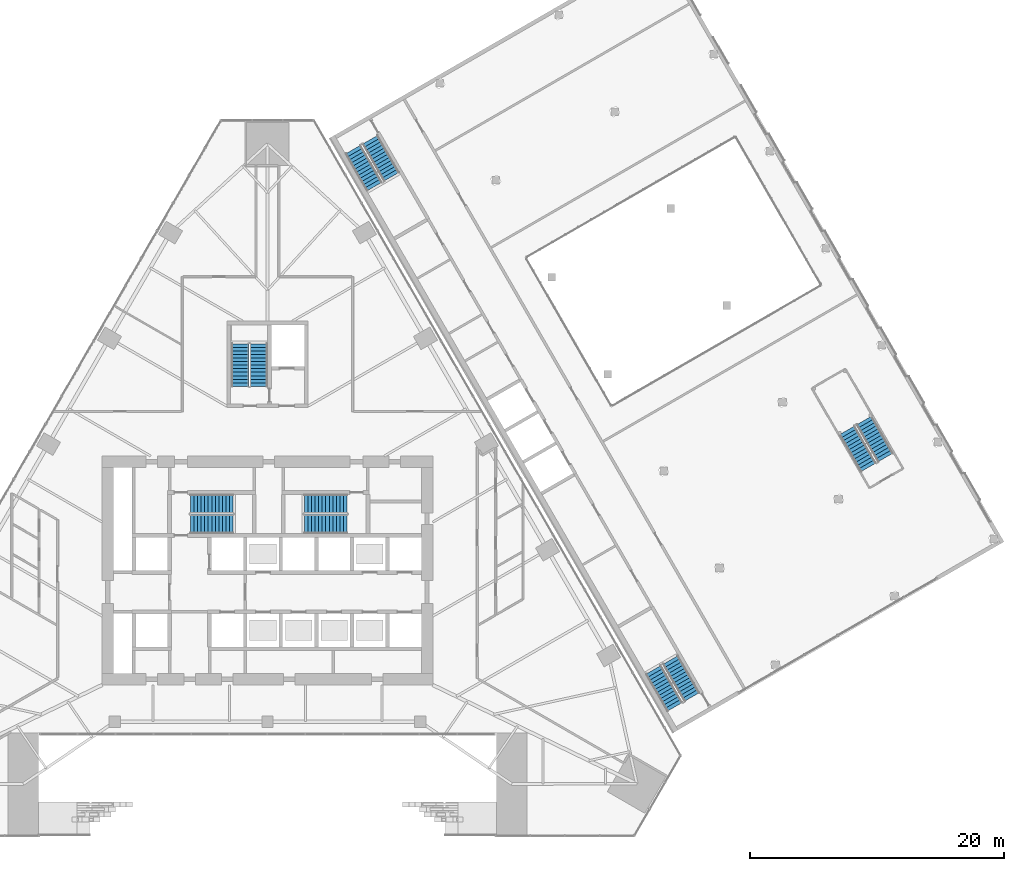
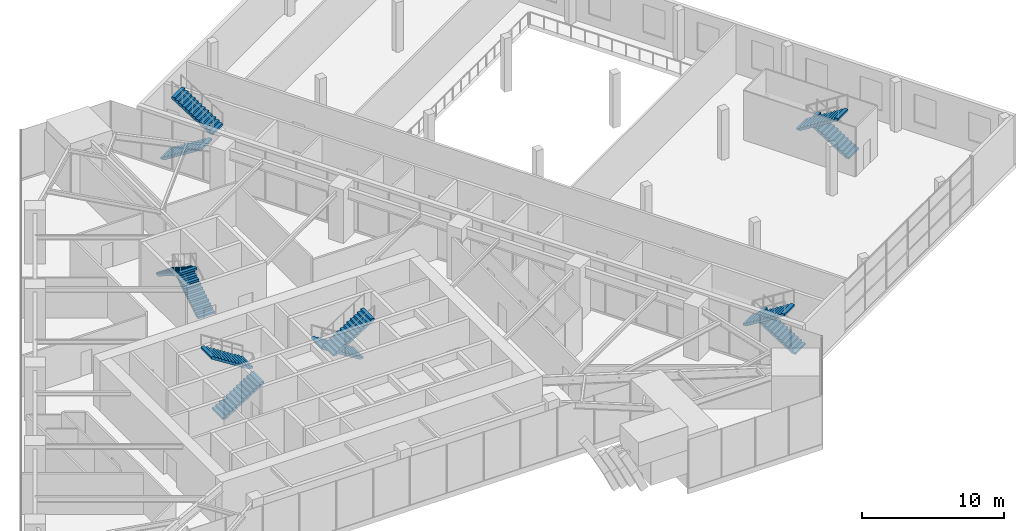
# One storey, part 22 of 30: 12 stair flights, 6 elements without a shape of their own.
"""IFC4 building model written with IfcOpenShell, lengths in metres."""

from ifc_helpers import new_model, si_unit, direction, frame, origin, place, context, subcontext, project, spatial, polyline, outline, extrude, material, type_object, element, aggregate, save


model = new_model("IFC4")

# Units and contexts
model_context = context("Model", 3, precision=1e-05, world=origin(), true_north=direction((0.0, 1.0)))
body_context = subcontext(model_context, "Body", "Model", "MODEL_VIEW")
ifc_project = project(units=[si_unit("LENGTHUNIT", "METRE"), si_unit("AREAUNIT", "SQUARE_METRE"), si_unit("VOLUMEUNIT", "CUBIC_METRE"), si_unit("PLANEANGLEUNIT", "RADIAN"), si_unit("MASSUNIT", "GRAM", prefix="KILO")], contexts=[model_context])

# Site, building, storey
site_placement = place(None, origin())
site = spatial("IfcSite", under=ifc_project, at=site_placement, CompositionType="ELEMENT")
building_placement = place(site_placement, origin())
building = spatial("IfcBuilding", under=site, at=building_placement, Name="Firuza Gate Tower and Library", CompositionType="ELEMENT")
storey_placement = place(building_placement, frame((0.0, 0.0, 12.60009765625)))
storey = spatial("IfcBuildingStorey", under=building, at=storey_placement, Name="L02", CompositionType="ELEMENT", Elevation=12.60009765625)

# Stair, stair flights
ifc_material_1 = material(Name="Concrete C40/50", Category="concrete")
stair_type_1 = type_object("IfcStairType", Name="LIB STAIR", PredefinedType="HALF_TURN_STAIR", material=ifc_material_1)
placement = place(storey_placement, origin())
stair_1 = element("IfcStair", 1, at=placement, inside=storey, type_object=stair_type_1, Name="L02 Exit stair A", PredefinedType="HALF_TURN_STAIR")
ifc_material_2 = material(Name="Concrete C40/50", Category="concrete")
stair_flight_type_1 = type_object("IfcStairFlightType", Name="LIB STAIR FLIGHT", PredefinedType="STRAIGHT", material=ifc_material_2)
stair_flight_1_placement = place(storey_placement, frame((81.735595703125, 108.102783203125, 0.0), z_axis=(0.0, 0.0, 1.0), x_axis=(0.5, -0.866025403784, 0.0)))
stair_flight_1 = element("IfcStairFlight", 2, at=stair_flight_1_placement, type_object=stair_flight_type_1, Name="LIB-ST-A flight 1", NumberOfRisers=13, NumberOfTreads=12, PredefinedType="STRAIGHT", RiserHeight=0.176923077, TreadLength=0.28, context=body_context, shape_type="SweptSolid", body=[
    extrude(outline(polyline([(0.0, 0.0), (0.0, 0.177001953125), (0.280029296875, 0.177001953125), (0.280029296875, 0.353759765625), (0.56005859375, 0.353759765625), (0.56005859375, 0.53076171875), (0.840087890625, 0.53076171875), (0.840087890625, 0.707763671875), (1.1201171875, 0.707763671875), (1.1201171875, 0.884521484375), (1.39990234375, 0.884521484375), (1.39990234375, 1.0615234375), (1.679931640625, 1.0615234375), (1.679931640625, 1.238525390625), (1.9599609375, 1.238525390625), (1.9599609375, 1.415283203125), (2.239990234375, 1.415283203125), (2.239990234375, 1.59228515625), (2.52001953125, 1.59228515625), (2.52001953125, 1.769287109375), (2.800048828125, 1.769287109375), (2.800048828125, 1.946044921875), (3.080078125, 1.946044921875), (3.080078125, 2.123046875), (3.360107421875, 2.123046875), (3.360107421875, 2.300048828125), (3.360107421875, 1.94580078125), (0.280517578125, 0.0), (0.0, 0.0)])), frame((0.0, 0.699951171875, 0.0), z_axis=(0.0, -1.0, 0.0), x_axis=(1.0, 0.0, 0.0)), (0.0, 0.0, 1.0), 1.39990234375),
])
stair_flight_2_placement = place(storey_placement, frame((84.758056640625, 105.968017578125, 2.2998046875), z_axis=(0.0, 0.0, 1.0), x_axis=(-0.5, 0.866025403784, 0.0)))
stair_flight_2 = element("IfcStairFlight", 3, at=stair_flight_2_placement, type_object=stair_flight_type_1, Name="LIB-ST-A flight 2", NumberOfRisers=13, NumberOfTreads=12, PredefinedType="STRAIGHT", RiserHeight=0.176923077, TreadLength=0.28, context=body_context, shape_type="SweptSolid", body=[
    extrude(outline(polyline([(0.0, 0.0), (0.0, 0.177001953125), (0.280029296875, 0.177001953125), (0.280029296875, 0.353759765625), (0.56005859375, 0.353759765625), (0.56005859375, 0.53076171875), (0.840087890625, 0.53076171875), (0.840087890625, 0.707763671875), (1.1201171875, 0.707763671875), (1.1201171875, 0.884521484375), (1.39990234375, 0.884521484375), (1.39990234375, 1.0615234375), (1.679931640625, 1.0615234375), (1.679931640625, 1.238525390625), (1.9599609375, 1.238525390625), (1.9599609375, 1.415283203125), (2.239990234375, 1.415283203125), (2.239990234375, 1.59228515625), (2.52001953125, 1.59228515625), (2.52001953125, 1.769287109375), (2.800048828125, 1.769287109375), (2.800048828125, 1.946044921875), (3.080078125, 1.946044921875), (3.080078125, 2.123046875), (3.360107421875, 2.123046875), (3.360107421875, 2.300048828125), (3.360107421875, 1.94580078125), (0.280517578125, 0.0), (0.0, 0.0)])), frame((0.0, 0.699951171875, 0.0), z_axis=(0.0, -1.0, 0.0), x_axis=(1.0, 0.0, 0.0)), (0.0, 0.0, 1.0), 1.39990234375),
])
aggregate(stair_1, [stair_flight_1, stair_flight_2])

stair_2 = element("IfcStair", 4, at=placement, inside=storey, type_object=stair_type_1, Name="L02 Exit stair B", PredefinedType="HALF_TURN_STAIR")
stair_flight_3_placement = place(storey_placement, frame((108.3779296875, 65.056884765625, 0.0), z_axis=(0.0, 0.0, 1.0), x_axis=(-0.5, 0.866025403784, 0.0)))
stair_flight_3 = element("IfcStairFlight", 5, at=stair_flight_3_placement, type_object=stair_flight_type_1, Name="LIB-ST-B flight 1", NumberOfRisers=13, NumberOfTreads=12, PredefinedType="STRAIGHT", RiserHeight=0.176923077, TreadLength=0.28, context=body_context, shape_type="SweptSolid", body=[
    extrude(outline(polyline([(0.0, 0.0), (0.0, 0.177001953125), (0.280029296875, 0.177001953125), (0.280029296875, 0.353759765625), (0.56005859375, 0.353759765625), (0.56005859375, 0.53076171875), (0.840087890625, 0.53076171875), (0.840087890625, 0.707763671875), (1.1201171875, 0.707763671875), (1.1201171875, 0.884521484375), (1.39990234375, 0.884521484375), (1.39990234375, 1.0615234375), (1.679931640625, 1.0615234375), (1.679931640625, 1.238525390625), (1.9599609375, 1.238525390625), (1.9599609375, 1.415283203125), (2.239990234375, 1.415283203125), (2.239990234375, 1.59228515625), (2.52001953125, 1.59228515625), (2.52001953125, 1.769287109375), (2.800048828125, 1.769287109375), (2.800048828125, 1.946044921875), (3.080078125, 1.946044921875), (3.080078125, 2.123046875), (3.360107421875, 2.123046875), (3.360107421875, 2.300048828125), (3.360107421875, 1.94580078125), (0.280517578125, 0.0), (0.0, 0.0)])), frame((0.0, 0.699951171875, 0.0), z_axis=(0.0, -1.0, 0.0), x_axis=(1.0, 0.0, 0.0)), (0.0, 0.0, 1.0), 1.39990234375),
])
stair_flight_4_placement = place(storey_placement, frame((105.355712890625, 67.191650390625, 2.2998046875), z_axis=(0.0, 0.0, 1.0), x_axis=(0.5, -0.866025403784, 0.0)))
stair_flight_4 = element("IfcStairFlight", 6, at=stair_flight_4_placement, type_object=stair_flight_type_1, Name="LIB-ST-B flight 2", NumberOfRisers=13, NumberOfTreads=12, PredefinedType="STRAIGHT", RiserHeight=0.176923077, TreadLength=0.28, context=body_context, shape_type="SweptSolid", body=[
    extrude(outline(polyline([(0.0, 0.0), (0.0, 0.177001953125), (0.280029296875, 0.177001953125), (0.280029296875, 0.353759765625), (0.56005859375, 0.353759765625), (0.56005859375, 0.53076171875), (0.840087890625, 0.53076171875), (0.840087890625, 0.707763671875), (1.1201171875, 0.707763671875), (1.1201171875, 0.884521484375), (1.39990234375, 0.884521484375), (1.39990234375, 1.0615234375), (1.679931640625, 1.0615234375), (1.679931640625, 1.238525390625), (1.9599609375, 1.238525390625), (1.9599609375, 1.415283203125), (2.239990234375, 1.415283203125), (2.239990234375, 1.59228515625), (2.52001953125, 1.59228515625), (2.52001953125, 1.769287109375), (2.800048828125, 1.769287109375), (2.800048828125, 1.946044921875), (3.080078125, 1.946044921875), (3.080078125, 2.123046875), (3.360107421875, 2.123046875), (3.360107421875, 2.300048828125), (3.360107421875, 1.94580078125), (0.280517578125, 0.0), (0.0, 0.0)])), frame((0.0, 0.699951171875, 0.0), z_axis=(0.0, -1.0, 0.0), x_axis=(1.0, 0.0, 0.0)), (0.0, 0.0, 1.0), 1.39990234375),
])
aggregate(stair_2, [stair_flight_3, stair_flight_4])

stair_3 = element("IfcStair", 7, at=placement, inside=storey, type_object=stair_type_1, Name="L02 Feature stair", PredefinedType="HALF_TURN_STAIR")
stair_flight_5_placement = place(storey_placement, frame((123.60009765625, 83.891357421875, 0.0), z_axis=(0.0, 0.0, 1.0), x_axis=(-0.5, 0.866025403784, 0.0)))
stair_flight_5 = element("IfcStairFlight", 8, at=stair_flight_5_placement, type_object=stair_flight_type_1, Name="LIB-ST-C flight 1", NumberOfRisers=13, NumberOfTreads=12, PredefinedType="STRAIGHT", RiserHeight=0.176923077, TreadLength=0.28, context=body_context, shape_type="SweptSolid", body=[
    extrude(outline(polyline([(0.0, 0.0), (0.0, 0.177001953125), (0.280029296875, 0.177001953125), (0.280029296875, 0.353759765625), (0.56005859375, 0.353759765625), (0.56005859375, 0.53076171875), (0.840087890625, 0.53076171875), (0.840087890625, 0.707763671875), (1.1201171875, 0.707763671875), (1.1201171875, 0.884521484375), (1.39990234375, 0.884521484375), (1.39990234375, 1.0615234375), (1.679931640625, 1.0615234375), (1.679931640625, 1.238525390625), (1.9599609375, 1.238525390625), (1.9599609375, 1.415283203125), (2.239990234375, 1.415283203125), (2.239990234375, 1.59228515625), (2.52001953125, 1.59228515625), (2.52001953125, 1.769287109375), (2.800048828125, 1.769287109375), (2.800048828125, 1.946044921875), (3.080078125, 1.946044921875), (3.080078125, 2.123046875), (3.360107421875, 2.123046875), (3.360107421875, 2.300048828125), (3.360107421875, 1.94580078125), (0.280517578125, 0.0), (0.0, 0.0)])), frame((0.0, 0.699951171875, 0.0), z_axis=(0.0, -1.0, 0.0), x_axis=(1.0, 0.0, 0.0)), (0.0, 0.0, 1.0), 1.39990234375),
])
stair_flight_6_placement = place(storey_placement, frame((120.577880859375, 86.026123046875, 2.2998046875), z_axis=(0.0, 0.0, 1.0), x_axis=(0.5, -0.866025403784, 0.0)))
stair_flight_6 = element("IfcStairFlight", 9, at=stair_flight_6_placement, type_object=stair_flight_type_1, Name="LIB-ST-C flight 2", NumberOfRisers=13, NumberOfTreads=12, PredefinedType="STRAIGHT", RiserHeight=0.176923077, TreadLength=0.28, context=body_context, shape_type="SweptSolid", body=[
    extrude(outline(polyline([(0.0, 0.0), (0.0, 0.177001953125), (0.280029296875, 0.177001953125), (0.280029296875, 0.353759765625), (0.56005859375, 0.353759765625), (0.56005859375, 0.53076171875), (0.840087890625, 0.53076171875), (0.840087890625, 0.707763671875), (1.1201171875, 0.707763671875), (1.1201171875, 0.884521484375), (1.39990234375, 0.884521484375), (1.39990234375, 1.0615234375), (1.679931640625, 1.0615234375), (1.679931640625, 1.238525390625), (1.9599609375, 1.238525390625), (1.9599609375, 1.415283203125), (2.239990234375, 1.415283203125), (2.239990234375, 1.59228515625), (2.52001953125, 1.59228515625), (2.52001953125, 1.769287109375), (2.800048828125, 1.769287109375), (2.800048828125, 1.946044921875), (3.080078125, 1.946044921875), (3.080078125, 2.123046875), (3.360107421875, 2.123046875), (3.360107421875, 2.300048828125), (3.360107421875, 1.94580078125), (0.280517578125, 0.0), (0.0, 0.0)])), frame((0.0, 0.699951171875, 0.0), z_axis=(0.0, -1.0, 0.0), x_axis=(1.0, 0.0, 0.0)), (0.0, 0.0, 1.0), 1.39990234375),
])
aggregate(stair_3, [stair_flight_5, stair_flight_6])

ifc_material_3 = material(Name="Concrete C35/45", Category="concrete")
stair_type_2 = type_object("IfcStairType", Name="Exit stair ST13", PredefinedType="HALF_TURN_STAIR", material=ifc_material_3)
stair_4 = element("IfcStair", 10, at=placement, inside=storey, type_object=stair_type_2, Name="L02 Stair ST3", PredefinedType="HALF_TURN_STAIR")
ifc_material_4 = material(Name="Concrete C35/45", Category="concrete")
stair_flight_type_2 = type_object("IfcStairFlightType", Name="Stair flight 13 risers 176.9 width 1370", PredefinedType="STRAIGHT", material=ifc_material_4)
stair_flight_7_placement = place(storey_placement, frame((74.31494140625, 89.469970703125, 0.0), z_axis=(0.0, 0.0, 1.0), x_axis=(0.0, 1.0, 0.0)))
stair_flight_7 = element("IfcStairFlight", 11, at=stair_flight_7_placement, type_object=stair_flight_type_2, Name="ST3 flight 1", NumberOfRisers=13, NumberOfTreads=12, PredefinedType="STRAIGHT", RiserHeight=0.176923077, TreadLength=0.28, context=body_context, shape_type="SweptSolid", body=[
    extrude(outline(polyline([(0.0, 0.0), (0.0, 0.177001953125), (0.280029296875, 0.177001953125), (0.280029296875, 0.353759765625), (0.56005859375, 0.353759765625), (0.56005859375, 0.53076171875), (0.840087890625, 0.53076171875), (0.840087890625, 0.707763671875), (1.1201171875, 0.707763671875), (1.1201171875, 0.884521484375), (1.39990234375, 0.884521484375), (1.39990234375, 1.0615234375), (1.679931640625, 1.0615234375), (1.679931640625, 1.238525390625), (1.9599609375, 1.238525390625), (1.9599609375, 1.415283203125), (2.239990234375, 1.415283203125), (2.239990234375, 1.59228515625), (2.52001953125, 1.59228515625), (2.52001953125, 1.769287109375), (2.800048828125, 1.769287109375), (2.800048828125, 1.946044921875), (3.080078125, 1.946044921875), (3.080078125, 2.123046875), (3.360107421875, 2.123046875), (3.360107421875, 2.300048828125), (3.360107421875, 1.94580078125), (0.280517578125, 0.0), (0.0, 0.0)])), frame((0.0, 0.68505859375, 0.0), z_axis=(0.0, -1.0, 0.0), x_axis=(1.0, 0.0, 0.0)), (0.0, 0.0, 1.0), 1.3701171875),
])
stair_flight_8_placement = place(storey_placement, frame((72.844970703125, 92.830078125, 2.2998046875), z_axis=(0.0, 0.0, 1.0), x_axis=(0.0, -1.0, 0.0)))
stair_flight_8 = element("IfcStairFlight", 12, at=stair_flight_8_placement, type_object=stair_flight_type_2, Name="ST3 flight 2", NumberOfRisers=13, NumberOfTreads=12, PredefinedType="STRAIGHT", RiserHeight=0.176923077, TreadLength=0.28, context=body_context, shape_type="SweptSolid", body=[
    extrude(outline(polyline([(0.0, 0.0), (0.0, 0.177001953125), (0.280029296875, 0.177001953125), (0.280029296875, 0.353759765625), (0.56005859375, 0.353759765625), (0.56005859375, 0.53076171875), (0.840087890625, 0.53076171875), (0.840087890625, 0.707763671875), (1.1201171875, 0.707763671875), (1.1201171875, 0.884521484375), (1.39990234375, 0.884521484375), (1.39990234375, 1.0615234375), (1.679931640625, 1.0615234375), (1.679931640625, 1.238525390625), (1.9599609375, 1.238525390625), (1.9599609375, 1.415283203125), (2.239990234375, 1.415283203125), (2.239990234375, 1.59228515625), (2.52001953125, 1.59228515625), (2.52001953125, 1.769287109375), (2.800048828125, 1.769287109375), (2.800048828125, 1.946044921875), (3.080078125, 1.946044921875), (3.080078125, 2.123046875), (3.360107421875, 2.123046875), (3.360107421875, 2.300048828125), (3.360107421875, 1.94580078125), (0.280517578125, 0.0), (0.0, 0.0)])), frame((0.0, 0.68505859375, 0.0), z_axis=(0.0, -1.0, 0.0), x_axis=(1.0, 0.0, 0.0)), (0.0, 0.0, 1.0), 1.3701171875),
])
aggregate(stair_4, [stair_flight_7, stair_flight_8])

ifc_material_5 = material(Name="Concrete C35/45", Category="concrete")
stair_type_3 = type_object("IfcStairType", Name="Exit stair ST4", PredefinedType="HALF_TURN_STAIR", material=ifc_material_5)
stair_5 = element("IfcStair", 13, at=placement, inside=storey, type_object=stair_type_3, Name="L02 Stair ST1", PredefinedType="HALF_TURN_STAIR")
ifc_material_6 = material(Name="Concrete C35/45", Category="concrete")
stair_flight_type_3 = type_object("IfcStairFlightType", Name="Stair flight 13 risers 176.9 width 1490", PredefinedType="STRAIGHT", material=ifc_material_6)
stair_flight_9_placement = place(storey_placement, frame((68.93994140625, 78.64501953125, 0.0), z_axis=(0.0, 0.0, 1.0), x_axis=(1.0, 0.0, 0.0)))
stair_flight_9 = element("IfcStairFlight", 14, at=stair_flight_9_placement, type_object=stair_flight_type_3, Name="ST1 flight 1", NumberOfRisers=13, NumberOfTreads=12, PredefinedType="STRAIGHT", RiserHeight=0.176923077, TreadLength=0.28, context=body_context, shape_type="SweptSolid", body=[
    extrude(outline(polyline([(0.0, 0.0), (0.0, 0.177001953125), (0.280029296875, 0.177001953125), (0.280029296875, 0.353759765625), (0.56005859375, 0.353759765625), (0.56005859375, 0.53076171875), (0.840087890625, 0.53076171875), (0.840087890625, 0.707763671875), (1.1201171875, 0.707763671875), (1.1201171875, 0.884521484375), (1.39990234375, 0.884521484375), (1.39990234375, 1.0615234375), (1.679931640625, 1.0615234375), (1.679931640625, 1.238525390625), (1.9599609375, 1.238525390625), (1.9599609375, 1.415283203125), (2.239990234375, 1.415283203125), (2.239990234375, 1.59228515625), (2.52001953125, 1.59228515625), (2.52001953125, 1.769287109375), (2.800048828125, 1.769287109375), (2.800048828125, 1.946044921875), (3.080078125, 1.946044921875), (3.080078125, 2.123046875), (3.360107421875, 2.123046875), (3.360107421875, 2.300048828125), (3.360107421875, 1.94580078125), (0.280517578125, 0.0), (0.0, 0.0)])), frame((0.0, 0.7451171875, 0.0), z_axis=(0.0, -1.0, 0.0), x_axis=(1.0, 0.0, 0.0)), (0.0, 0.0, 1.0), 1.489990234375),
])
stair_flight_10_placement = place(storey_placement, frame((72.300048828125, 80.235107421875, 2.2998046875), z_axis=(0.0, 0.0, 1.0), x_axis=(-1.0, 0.0, 0.0)))
stair_flight_10 = element("IfcStairFlight", 15, at=stair_flight_10_placement, type_object=stair_flight_type_3, Name="ST1 flight 2", NumberOfRisers=13, NumberOfTreads=12, PredefinedType="STRAIGHT", RiserHeight=0.176923077, TreadLength=0.28, context=body_context, shape_type="SweptSolid", body=[
    extrude(outline(polyline([(0.0, 0.0), (0.0, 0.177001953125), (0.280029296875, 0.177001953125), (0.280029296875, 0.353759765625), (0.56005859375, 0.353759765625), (0.56005859375, 0.53076171875), (0.840087890625, 0.53076171875), (0.840087890625, 0.707763671875), (1.1201171875, 0.707763671875), (1.1201171875, 0.884521484375), (1.39990234375, 0.884521484375), (1.39990234375, 1.0615234375), (1.679931640625, 1.0615234375), (1.679931640625, 1.238525390625), (1.9599609375, 1.238525390625), (1.9599609375, 1.415283203125), (2.239990234375, 1.415283203125), (2.239990234375, 1.59228515625), (2.52001953125, 1.59228515625), (2.52001953125, 1.769287109375), (2.800048828125, 1.769287109375), (2.800048828125, 1.946044921875), (3.080078125, 1.946044921875), (3.080078125, 2.123046875), (3.360107421875, 2.123046875), (3.360107421875, 2.300048828125), (3.360107421875, 1.94580078125), (0.280517578125, 0.0), (0.0, 0.0)])), frame((0.0, 0.7451171875, 0.0), z_axis=(0.0, -1.0, 0.0), x_axis=(1.0, 0.0, 0.0)), (0.0, 0.0, 1.0), 1.489990234375),
])
aggregate(stair_5, [stair_flight_9, stair_flight_10])

stair_6 = element("IfcStair", 16, at=placement, inside=storey, type_object=stair_type_3, Name="L02 Stair ST2", PredefinedType="HALF_TURN_STAIR")
stair_flight_11_placement = place(storey_placement, frame((81.260009765625, 80.235107421875, 0.0), z_axis=(0.0, 0.0, 1.0), x_axis=(-1.0, 0.0, 0.0)))
stair_flight_11 = element("IfcStairFlight", 17, at=stair_flight_11_placement, type_object=stair_flight_type_3, Name="ST2 flight 1", NumberOfRisers=13, NumberOfTreads=12, PredefinedType="STRAIGHT", RiserHeight=0.176923077, TreadLength=0.28, context=body_context, shape_type="SweptSolid", body=[
    extrude(outline(polyline([(0.0, 0.0), (0.0, 0.177001953125), (0.280029296875, 0.177001953125), (0.280029296875, 0.353759765625), (0.56005859375, 0.353759765625), (0.56005859375, 0.53076171875), (0.840087890625, 0.53076171875), (0.840087890625, 0.707763671875), (1.1201171875, 0.707763671875), (1.1201171875, 0.884521484375), (1.39990234375, 0.884521484375), (1.39990234375, 1.0615234375), (1.679931640625, 1.0615234375), (1.679931640625, 1.238525390625), (1.9599609375, 1.238525390625), (1.9599609375, 1.415283203125), (2.239990234375, 1.415283203125), (2.239990234375, 1.59228515625), (2.52001953125, 1.59228515625), (2.52001953125, 1.769287109375), (2.800048828125, 1.769287109375), (2.800048828125, 1.946044921875), (3.080078125, 1.946044921875), (3.080078125, 2.123046875), (3.360107421875, 2.123046875), (3.360107421875, 2.300048828125), (3.360107421875, 1.94580078125), (0.280517578125, 0.0), (0.0, 0.0)])), frame((0.0, 0.7451171875, 0.0), z_axis=(0.0, -1.0, 0.0), x_axis=(1.0, 0.0, 0.0)), (0.0, 0.0, 1.0), 1.489990234375),
])
stair_flight_12_placement = place(storey_placement, frame((77.89990234375, 78.64501953125, 2.2998046875), z_axis=(0.0, 0.0, 1.0), x_axis=(1.0, 0.0, 0.0)))
stair_flight_12 = element("IfcStairFlight", 18, at=stair_flight_12_placement, type_object=stair_flight_type_3, Name="ST2 flight 2", NumberOfRisers=13, NumberOfTreads=12, PredefinedType="STRAIGHT", RiserHeight=0.176923077, TreadLength=0.28, context=body_context, shape_type="SweptSolid", body=[
    extrude(outline(polyline([(0.0, 0.0), (0.0, 0.177001953125), (0.280029296875, 0.177001953125), (0.280029296875, 0.353759765625), (0.56005859375, 0.353759765625), (0.56005859375, 0.53076171875), (0.840087890625, 0.53076171875), (0.840087890625, 0.707763671875), (1.1201171875, 0.707763671875), (1.1201171875, 0.884521484375), (1.39990234375, 0.884521484375), (1.39990234375, 1.0615234375), (1.679931640625, 1.0615234375), (1.679931640625, 1.238525390625), (1.9599609375, 1.238525390625), (1.9599609375, 1.415283203125), (2.239990234375, 1.415283203125), (2.239990234375, 1.59228515625), (2.52001953125, 1.59228515625), (2.52001953125, 1.769287109375), (2.800048828125, 1.769287109375), (2.800048828125, 1.946044921875), (3.080078125, 1.946044921875), (3.080078125, 2.123046875), (3.360107421875, 2.123046875), (3.360107421875, 2.300048828125), (3.360107421875, 1.94580078125), (0.280517578125, 0.0), (0.0, 0.0)])), frame((0.0, 0.7451171875, 0.0), z_axis=(0.0, -1.0, 0.0), x_axis=(1.0, 0.0, 0.0)), (0.0, 0.0, 1.0), 1.489990234375),
])
aggregate(stair_6, [stair_flight_11, stair_flight_12])

save(model, "model.ifc")
